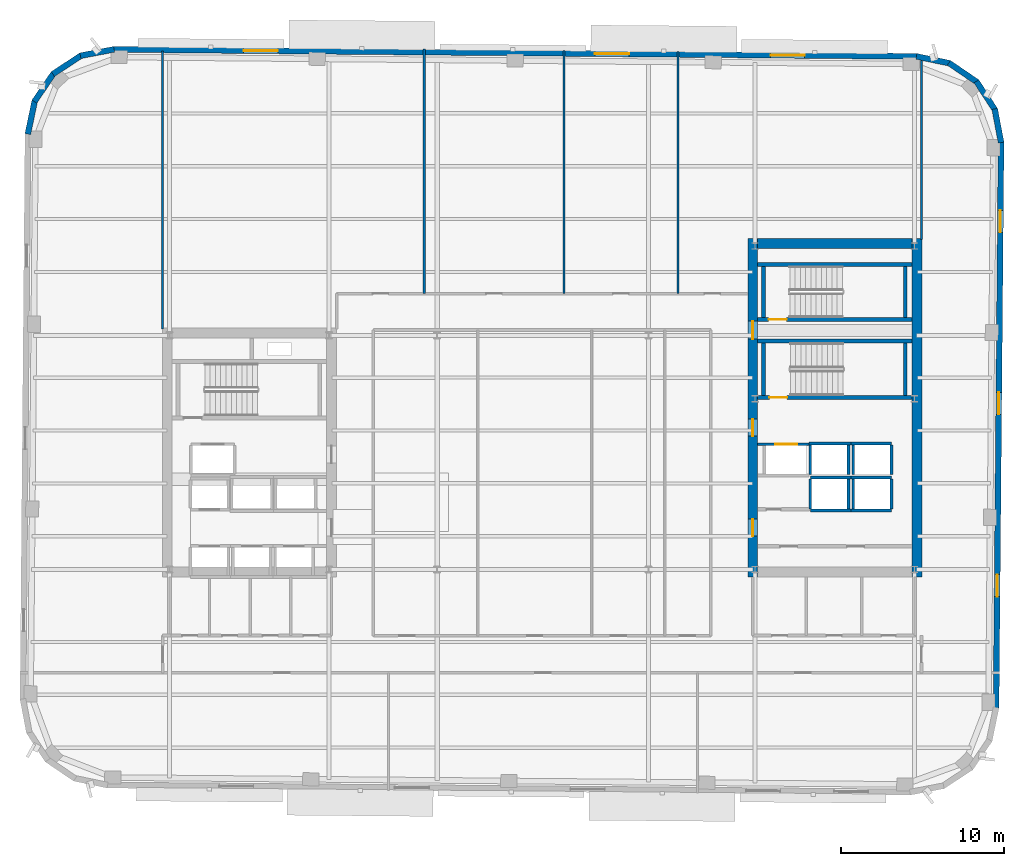
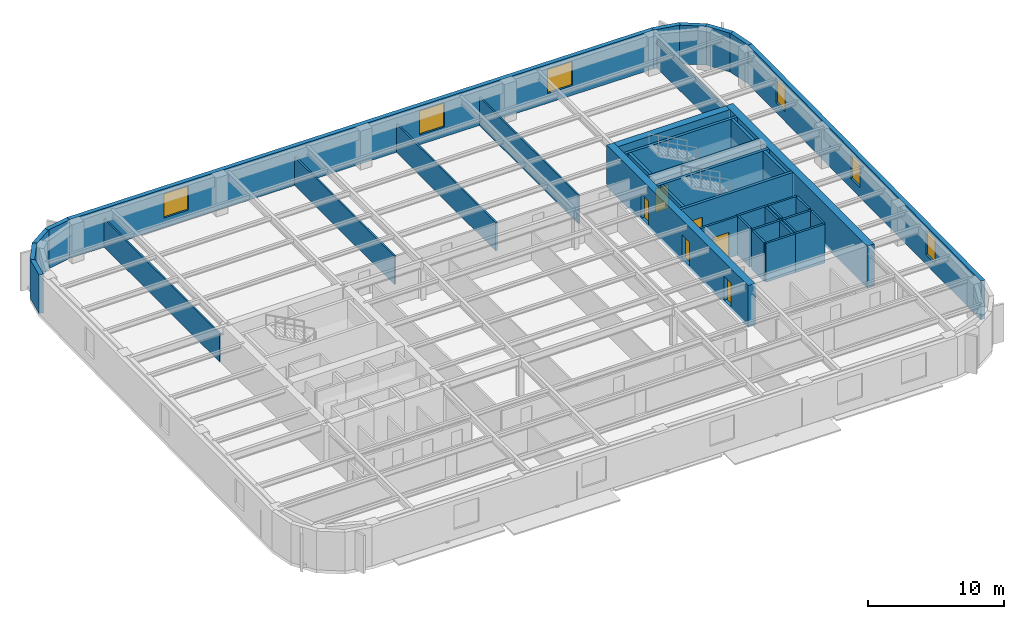
# One storey, part 6 of 12: 41 walls, 6 doors, 6 windows, 12 openings.
"""IFC4 building model written with IfcOpenShell, lengths in metres."""

import ifcopenshell
import ifcopenshell.guid

model = None  # the IFC model being written
_history = None  # IfcOwnerHistory: only IFC2X3 demands one
_inside = {}  # id of a spatial element -> (the spatial element, [elements in it])
_under = {}  # id of a project, library or spatial element -> (it, [spatial elements below it])
_declared = {}  # id of a project -> (the project, [libraries it declares])
_typed = {}  # id of a type object -> (the type object, [elements of that type])
_made_of = {}  # id of a material, layer set ... -> (it, [elements and type objects made of it])


def new_model(schema):
    """Start an empty IFC model of exactly this schema.

    Asked for "IFC4X3", IfcOpenShell would pick the latest addendum, in which some entities
    have other attributes; the version numbers below select the first issue.
    IFC2X3 requires an IfcOwnerHistory on every rooted entity: one is made here for all.
    """
    global model, _history
    if schema == "IFC4X3":
        model = ifcopenshell.file(schema_version=(4, 3, 0, 0))
    else:
        model = ifcopenshell.file(schema=schema)
    _inside.clear()
    _under.clear()
    _declared.clear()
    _typed.clear()
    _made_of.clear()
    _history = None
    if model.schema == "IFC2X3":
        org = make("IfcOrganization", Name="unknown")
        user = make(
            "IfcPersonAndOrganization",
            ThePerson=make("IfcPerson", FamilyName="unknown"),
            TheOrganization=org,
        )
        app = make(
            "IfcApplication",
            ApplicationDeveloper=org,
            Version="unknown",
            ApplicationFullName="unknown",
            ApplicationIdentifier="unknown",
        )
        _history = make(
            "IfcOwnerHistory",
            OwningUser=user,
            OwningApplication=app,
            ChangeAction="ADDED",
            CreationDate=0,
        )
    return model


def make(cls, **values):
    """One entity of the class cls with the attributes given. An attribute that is None is left unset."""
    return model.create_entity(
        cls, **{name: value for name, value in values.items() if value is not None}
    )


def rooted(cls, **values):
    """An entity with a GlobalId (a new one), such as an element, a storey or a relation."""
    return make(cls, GlobalId=ifcopenshell.guid.new(), OwnerHistory=_history, **values)


def si_unit(unit_type, name, prefix=None):
    """IfcSIUnit, for example si_unit("LENGTHUNIT", "METRE", prefix="MILLI")."""
    return make("IfcSIUnit", UnitType=unit_type, Prefix=prefix, Name=name)


def assignment(units):
    """IfcUnitAssignment: the units of a project."""
    return None if units is None else make("IfcUnitAssignment", Units=units)


def point(xyz):
    """IfcCartesianPoint."""
    return None if xyz is None else make("IfcCartesianPoint", Coordinates=xyz)


def direction(xyz):
    """IfcDirection."""
    return None if xyz is None else make("IfcDirection", DirectionRatios=xyz)


def frame(location, z_axis=None, x_axis=None):
    """IfcAxis2Placement3D, a coordinate frame: its origin and axes. An axis left out is left unset."""
    return make(
        "IfcAxis2Placement3D",
        Location=point(location),
        Axis=direction(z_axis),
        RefDirection=direction(x_axis),
    )


def frame_2d(location, x_axis=None):
    """IfcAxis2Placement2D, a coordinate frame in the plane: its origin and x axis."""
    return make(
        "IfcAxis2Placement2D", Location=point(location), RefDirection=direction(x_axis)
    )


def origin():
    """The frame at (0, 0, 0) with its axes left unset."""
    return frame((0.0, 0.0, 0.0))


def place(relative_to, where):
    """IfcLocalPlacement: puts the frame where relative to a parent placement (None: the world)."""
    return make(
        "IfcLocalPlacement", PlacementRelTo=relative_to, RelativePlacement=where
    )


def context(
    kind, dimensions, precision=None, world=None, true_north=None, identifier=None
):
    """IfcGeometricRepresentationContext, for example the 3D "Model" context."""
    return make(
        "IfcGeometricRepresentationContext",
        ContextIdentifier=identifier,
        ContextType=kind,
        CoordinateSpaceDimension=dimensions,
        Precision=precision,
        WorldCoordinateSystem=world,
        TrueNorth=true_north,
    )


def subcontext(parent, identifier, kind, view, scale=None):
    """IfcGeometricRepresentationSubContext, for example "Body" below "Model"."""
    return make(
        "IfcGeometricRepresentationSubContext",
        ContextIdentifier=identifier,
        ContextType=kind,
        ParentContext=parent,
        TargetScale=scale,
        TargetView=view,
    )


def project(units=None, contexts=None):
    """IfcProject with its units and contexts."""
    return rooted(
        "IfcProject",
        Name="project",
        RepresentationContexts=contexts,
        UnitsInContext=assignment(units),
    )


def spatial(cls, under=None, at=None, **own):
    """A site, building, storey or space (cls), placed at a placement, below another one or the project."""
    s = rooted(cls, ObjectPlacement=at, **own)
    if under is not None:
        _under.setdefault(under.id(), (under, []))[1].append(s)
    return s


def profile(cls, at=None, kind="AREA", **sizes):
    """A parametric profile (cls). Its sizes go by their IFC names, for example OverallWidth=200.0."""
    return make(cls, ProfileType=kind, Position=at, **sizes)


def rectangle(**sizes):
    """IfcRectangleProfileDef."""
    return profile("IfcRectangleProfileDef", **sizes)


def extrude(swept, where, along, depth):
    """IfcExtrudedAreaSolid: the profile swept, set in the frame where, extruded along a direction by depth."""
    return make(
        "IfcExtrudedAreaSolid",
        SweptArea=swept,
        Position=where,
        ExtrudedDirection=direction(along),
        Depth=depth,
    )


def shape(context_of_items, identifier, shape_type, items):
    """IfcShapeRepresentation: the items that make up one representation, for example the "Body"."""
    return make(
        "IfcShapeRepresentation",
        ContextOfItems=context_of_items,
        RepresentationIdentifier=identifier,
        RepresentationType=shape_type,
        Items=items,
    )


def material(Name=None, Category=None):
    """IfcMaterial."""
    return make("IfcMaterial", Name=Name, Category=Category)


def layer(
    of_material, thickness, ventilated=None, Name=None, Category=None, Priority=None
):
    """IfcMaterialLayer: one layer of a wall or slab, of a material (None: an air gap)."""
    return make(
        "IfcMaterialLayer",
        Material=of_material,
        LayerThickness=thickness,
        IsVentilated=ventilated,
        Name=Name,
        Category=Category,
        Priority=Priority,
    )


def layer_set(layers, Name=None):
    """IfcMaterialLayerSet."""
    return make("IfcMaterialLayerSet", MaterialLayers=layers, LayerSetName=Name)


def made_of(thing, what):
    """Note that an element or type object is made of a material, layer set ...; save() writes the relation."""
    if what is not None:
        _made_of.setdefault(what.id(), (what, []))[1].append(thing)
    return thing


def type_object(cls, material=None, **own):
    """A type object (cls), such as IfcWallType, which elements share."""
    return made_of(rooted(cls, **own), material)


def element(
    cls,
    number,
    at=None,
    inside=None,
    cuts=None,
    type_object=None,
    material=None,
    context=None,
    identifier="Body",
    shape_type=None,
    held_by="IfcProductDefinitionShape",
    body=None,
    shapes=None,
    **own,
):
    """One element of the class cls, such as IfcWall. Its Tag is "e" and its number.

    at: its placement. inside: the storey or other place that contains it. cuts: it is an
    opening in that element (IfcRelVoidsElement). A single representation is given by context,
    identifier, shape_type and body (its items); several are given by shapes. held_by: the class
    of the entity that holds the representations. save() writes the other relations.
    """
    e = rooted(cls, Tag="e%d" % number, ObjectPlacement=at, **own)
    if body is not None:
        shapes = [shape(context, identifier, shape_type, body)]
    if shapes is not None:
        e.Representation = make(held_by, Representations=shapes)
    if inside is not None:
        _inside.setdefault(inside.id(), (inside, []))[1].append(e)
    if cuts is not None:
        rooted(
            "IfcRelVoidsElement", RelatingBuildingElement=cuts, RelatedOpeningElement=e
        )
    if type_object is not None:
        _typed.setdefault(type_object.id(), (type_object, []))[1].append(e)
    return made_of(e, material)


def fill(opening, filler):
    """IfcRelFillsElement: the door or window that sits in an opening."""
    return rooted(
        "IfcRelFillsElement",
        RelatingOpeningElement=opening,
        RelatedBuildingElement=filler,
    )


def aggregate(whole, parts):
    """IfcRelAggregates: a whole, such as a stair, and the parts it consists of."""
    return rooted("IfcRelAggregates", RelatingObject=whole, RelatedObjects=parts)


def save(model, path):
    """Write the relations noted so far, then the file.

    IfcRelAggregates (storeys below a building ...), IfcRelContainedInSpatialStructure (elements
    in a storey), IfcRelDefinesByType, IfcRelAssociatesMaterial and IfcRelDeclares: one each for
    every whole, place, type object, material and project.
    """
    for whole, parts in _under.values():
        aggregate(whole, parts)
    for where, things in _inside.values():
        rooted(
            "IfcRelContainedInSpatialStructure",
            RelatedElements=things,
            RelatingStructure=where,
        )
    for kind, things in _typed.values():
        rooted("IfcRelDefinesByType", RelatedObjects=things, RelatingType=kind)
    for what, things in _made_of.values():
        rooted("IfcRelAssociatesMaterial", RelatedObjects=things, RelatingMaterial=what)
    for by, libraries in _declared.values():
        rooted("IfcRelDeclares", RelatingContext=by, RelatedDefinitions=libraries)
    model.write(path)


model = new_model("IFC4")

# Units and contexts
model_context = context("Model", 3, precision=1e-05, world=origin(), true_north=direction((0.0, 1.0)))
body_context = subcontext(model_context, "Body", "Model", "MODEL_VIEW")
ifc_project = project(units=[si_unit("LENGTHUNIT", "METRE"), si_unit("AREAUNIT", "SQUARE_METRE"), si_unit("VOLUMEUNIT", "CUBIC_METRE"), si_unit("PLANEANGLEUNIT", "RADIAN"), si_unit("MASSUNIT", "GRAM", prefix="KILO")], contexts=[model_context])

# Site, building, storey
site_placement = place(None, origin())
site = spatial("IfcSite", under=ifc_project, at=site_placement, CompositionType="ELEMENT")
building_placement = place(site_placement, origin())
building = spatial("IfcBuilding", under=site, at=building_placement, Name="Kolvaren Arena Tower", CompositionType="ELEMENT")
storey_placement = place(building_placement, frame((0.0, 0.0, 177.199951171875)))
storey = spatial("IfcBuildingStorey", under=building, at=storey_placement, Name="L42", CompositionType="ELEMENT", Elevation=177.199951171875)

# Wall, openings, doors
ifc_material_1 = material(Name="Concrete 60 MPa", Category="concrete")
ifc_layer_1 = layer(ifc_material_1, 0.60009765625)
ifc_layer_set_1 = layer_set([ifc_layer_1], Name="Concrete 60 MPa")
wall_type_1 = type_object("IfcWallType", Name="CWALL-600", PredefinedType="SHEAR", material=ifc_layer_set_1)
wall_1_placement = place(storey_placement, frame((50.39990234375, 19.0, -0.27001953125), z_axis=(0.0, 0.0, 1.0), x_axis=(0.0, 1.0, 0.0)))
wall_1 = element("IfcWall", 1, at=wall_1_placement, inside=storey, type_object=wall_type_1, Name="Core Shear Wall EC-WEST (L42)", PredefinedType="SHEAR", context=body_context, shape_type="SweptSolid", body=[
    extrude(rectangle(XDim=20.800048828125, YDim=0.60009765625, at=frame_2d((10.39990234375, 0.0))), origin(), (0.0, 0.0, 1.0), 3.75),
])
opening_1_placement = place(wall_1_placement, frame((2.5, 0.0, 0.27001953125)))
opening_1 = element("IfcOpeningElement", 2, at=opening_1_placement, cuts=wall_1, Name="Opening D04", PredefinedType="OPENING", context=body_context, shape_type="SweptSolid", body=[
    extrude(rectangle(XDim=1.050048828125, YDim=2.14990234375, at=frame_2d((0.52490234375, 1.074951171875))), frame((0.0, 0.31005859375, 0.0), z_axis=(0.0, -1.0, 0.0), x_axis=(1.0, 0.0, 0.0)), (0.0, 0.0, 1.0), 0.6201171875),
])
opening_2_placement = place(wall_1_placement, frame((8.64990234375, 0.0, 0.27001953125)))
opening_2 = element("IfcOpeningElement", 3, at=opening_2_placement, cuts=wall_1, Name="Opening D04", PredefinedType="OPENING", context=body_context, shape_type="SweptSolid", body=[
    extrude(rectangle(XDim=1.050048828125, YDim=2.14990234375, at=frame_2d((0.52490234375, 1.074951171875))), frame((0.0, 0.31005859375, 0.0), z_axis=(0.0, -1.0, 0.0), x_axis=(1.0, 0.0, 0.0)), (0.0, 0.0, 1.0), 0.6201171875),
])
opening_3_placement = place(wall_1_placement, frame((14.6201171875, 0.0, 0.27001953125)))
opening_3 = element("IfcOpeningElement", 4, at=opening_3_placement, cuts=wall_1, Name="Opening D03", PredefinedType="OPENING", context=body_context, shape_type="SweptSolid", body=[
    extrude(rectangle(XDim=1.10009765625, YDim=2.14990234375, at=frame_2d((0.550048828125, 1.074951171875))), frame((0.0, 0.31005859375, 0.0), z_axis=(0.0, -1.0, 0.0), x_axis=(1.0, 0.0, 0.0)), (0.0, 0.0, 1.0), 0.6201171875),
])
ifc_material_2 = material(Name="Fire-rated steel lobby door", Category="steel")
door_type_1 = type_object("IfcDoorType", Name="DOOR-FF-105", OperationType="NOTDEFINED", PredefinedType="DOOR", material=ifc_material_2)
door_1_placement = place(opening_1_placement, origin())
door_1 = element("IfcDoor", 5, at=door_1_placement, inside=storey, type_object=door_type_1, Name="East Lift Lobby Fire Door (L42)", OperationType="SINGLE_SWING_RIGHT", OverallHeight=2.14990234375, OverallWidth=1.050048828125, PredefinedType="DOOR", context=body_context, shape_type="SweptSolid", body=[
    extrude(rectangle(XDim=1.050048828125, YDim=2.14990234375, at=frame_2d((0.52490234375, 1.074951171875))), frame((0.0, 0.02490234375, 0.0), z_axis=(0.0, -1.0, 0.0), x_axis=(1.0, 0.0, 0.0)), (0.0, 0.0, 1.0), 0.050048828125),
])
fill(opening_1, door_1)
door_2_placement = place(opening_2_placement, origin())
door_2 = element("IfcDoor", 6, at=door_2_placement, inside=storey, type_object=door_type_1, Name="East Firefighter Vestibule Door (L42)", OperationType="SINGLE_SWING_LEFT", OverallHeight=2.14990234375, OverallWidth=1.050048828125, PredefinedType="DOOR", context=body_context, shape_type="SweptSolid", body=[
    extrude(rectangle(XDim=1.050048828125, YDim=2.14990234375, at=frame_2d((0.52490234375, 1.074951171875))), frame((0.0, 0.02490234375, 0.0), z_axis=(0.0, -1.0, 0.0), x_axis=(1.0, 0.0, 0.0)), (0.0, 0.0, 1.0), 0.050048828125),
])
fill(opening_2, door_2)
ifc_material_3 = material(Name="Fire-rated steel exit stair door", Category="steel")
door_type_2 = type_object("IfcDoorType", Name="DOOR-ST-110", OperationType="NOTDEFINED", PredefinedType="DOOR", material=ifc_material_3)
door_3_placement = place(opening_3_placement, origin())
door_3 = element("IfcDoor", 7, at=door_3_placement, inside=storey, type_object=door_type_2, Name="Stair ST-E2 Vestibule Fire Door (L42)", OperationType="SINGLE_SWING_LEFT", OverallHeight=2.14990234375, OverallWidth=1.10009765625, PredefinedType="DOOR", context=body_context, shape_type="SweptSolid", body=[
    extrude(rectangle(XDim=1.10009765625, YDim=2.14990234375, at=frame_2d((0.550048828125, 1.074951171875))), frame((0.0, 0.02490234375, 0.0), z_axis=(0.0, -1.0, 0.0), x_axis=(1.0, 0.0, 0.0)), (0.0, 0.0, 1.0), 0.050048828125),
])
fill(opening_3, door_3)

# Walls
wall_2_placement = place(storey_placement, frame((60.5, 19.0, -0.27001953125), z_axis=(0.0, 0.0, 1.0), x_axis=(0.0, 1.0, 0.0)))
element("IfcWall", 8, at=wall_2_placement, inside=storey, type_object=wall_type_1, Name="Core Shear Wall EC-EAST (L42)", PredefinedType="SHEAR", context=body_context, shape_type="SweptSolid", body=[
    extrude(rectangle(XDim=20.800048828125, YDim=0.60009765625, at=frame_2d((10.39990234375, 0.0))), origin(), (0.0, 0.0, 1.0), 3.75),
])
wall_3_placement = place(storey_placement, frame((50.699951171875, 39.5, -0.27001953125), z_axis=(0.0, 0.0, 1.0), x_axis=(1.0, 0.0, 0.0)))
element("IfcWall", 9, at=wall_3_placement, inside=storey, type_object=wall_type_1, Name="Core Shear Wall EC-NORTH (L42)", PredefinedType="SHEAR", context=body_context, shape_type="SweptSolid", body=[
    extrude(rectangle(XDim=9.5, YDim=0.60009765625, at=frame_2d((4.75, 0.0))), origin(), (0.0, 0.0, 1.0), 3.75),
])

# Wall, openings, windows
ifc_material_4 = material(Name="Precast concrete C50/60", Category="concrete")
ifc_layer_2 = layer(ifc_material_4, 0.360107421875)
ifc_layer_set_2 = layer_set([ifc_layer_2], Name="Precast concrete C50/60")
wall_type_2 = type_object("IfcWallType", Name="EXT-PIER2", PredefinedType="SOLIDWALL", material=ifc_layer_set_2)
wall_4_placement = place(storey_placement, frame((65.670654296875, 45.73828125, 0.0), z_axis=(0.0, 0.0, 1.0), x_axis=(-0.008727348535, -0.999961915969, 0.0)))
wall_4 = element("IfcWall", 10, at=wall_4_placement, inside=storey, type_object=wall_type_2, Name="Exterior Precast Masonry-Frame Wall (L42)", PredefinedType="SOLIDWALL", context=body_context, shape_type="SweptSolid", body=[
    extrude(rectangle(XDim=34.7998046875, YDim=0.360107421875, at=frame_2d((17.39990234375, 0.0))), origin(), (0.0, 0.0, 1.0), 3.47998046875),
])
opening_4_placement = place(wall_4_placement, frame((4.199951171875, 0.0, 0.8798828125)))
opening_4 = element("IfcOpeningElement", 11, at=opening_4_placement, cuts=wall_4, Name="Opening W04", PredefinedType="OPENING", context=body_context, shape_type="SweptSolid", body=[
    extrude(rectangle(XDim=1.35009765625, YDim=2.199951171875, at=frame_2d((0.675048828125, 1.10009765625))), frame((0.0, 0.18994140625, 0.0), z_axis=(0.0, -1.0, 0.0), x_axis=(1.0, 0.0, 0.0)), (0.0, 0.0, 1.0), 0.380126953125),
])
opening_5_placement = place(wall_4_placement, frame((15.39990234375, 0.0, 0.8798828125)))
opening_5 = element("IfcOpeningElement", 12, at=opening_5_placement, cuts=wall_4, Name="Opening W04", PredefinedType="OPENING", context=body_context, shape_type="SweptSolid", body=[
    extrude(rectangle(XDim=1.35009765625, YDim=2.199951171875, at=frame_2d((0.675048828125, 1.10009765625))), frame((0.0, 0.18994140625, 0.0), z_axis=(0.0, -1.0, 0.0), x_axis=(1.0, 0.0, 0.0)), (0.0, 0.0, 1.0), 0.380126953125),
])
opening_6_placement = place(wall_4_placement, frame((26.60009765625, 0.0, 0.8798828125)))
opening_6 = element("IfcOpeningElement", 13, at=opening_6_placement, cuts=wall_4, Name="Opening W04", PredefinedType="OPENING", context=body_context, shape_type="SweptSolid", body=[
    extrude(rectangle(XDim=1.35009765625, YDim=2.199951171875, at=frame_2d((0.675048828125, 1.10009765625))), frame((0.0, 0.18994140625, 0.0), z_axis=(0.0, -1.0, 0.0), x_axis=(1.0, 0.0, 0.0)), (0.0, 0.0, 1.0), 0.380126953125),
])
ifc_material_5 = material(Name="Triple-glazed curved-facet corner window", Category="glass")
window_type_1 = type_object("IfcWindowType", Name="WIN-CRN-A", PartitioningType="SINGLE_PANEL", PredefinedType="WINDOW", material=ifc_material_5)
window_1_placement = place(opening_4_placement, origin())
window_1 = element("IfcWindow", 14, at=window_1_placement, inside=storey, type_object=window_type_1, Name="End-Wall Punched Window (L42)", OverallHeight=2.199951171875, OverallWidth=1.35009765625, PartitioningType="SINGLE_PANEL", PredefinedType="WINDOW", context=body_context, shape_type="SweptSolid", body=[
    extrude(rectangle(XDim=1.35009765625, YDim=2.199951171875, at=frame_2d((0.675048828125, 1.10009765625))), frame((0.0, 0.030029296875, 0.0), z_axis=(0.0, -1.0, 0.0), x_axis=(1.0, 0.0, 0.0)), (0.0, 0.0, 1.0), 0.06005859375),
])
fill(opening_4, window_1)
window_2_placement = place(opening_5_placement, origin())
window_2 = element("IfcWindow", 15, at=window_2_placement, inside=storey, type_object=window_type_1, Name="End-Wall Punched Window (L42)", OverallHeight=2.199951171875, OverallWidth=1.35009765625, PartitioningType="SINGLE_PANEL", PredefinedType="WINDOW", context=body_context, shape_type="SweptSolid", body=[
    extrude(rectangle(XDim=1.35009765625, YDim=2.199951171875, at=frame_2d((0.675048828125, 1.10009765625))), frame((0.0, 0.030029296875, 0.0), z_axis=(0.0, -1.0, 0.0), x_axis=(1.0, 0.0, 0.0)), (0.0, 0.0, 1.0), 0.06005859375),
])
fill(opening_5, window_2)
window_3_placement = place(opening_6_placement, origin())
window_3 = element("IfcWindow", 16, at=window_3_placement, inside=storey, type_object=window_type_1, Name="End-Wall Punched Window (L42)", OverallHeight=2.199951171875, OverallWidth=1.35009765625, PartitioningType="SINGLE_PANEL", PredefinedType="WINDOW", context=body_context, shape_type="SweptSolid", body=[
    extrude(rectangle(XDim=1.35009765625, YDim=2.199951171875, at=frame_2d((0.675048828125, 1.10009765625))), frame((0.0, 0.030029296875, 0.0), z_axis=(0.0, -1.0, 0.0), x_axis=(1.0, 0.0, 0.0)), (0.0, 0.0, 1.0), 0.06005859375),
])
fill(opening_6, window_3)

# Walls
wall_5_placement = place(storey_placement, frame((65.281005859375, 47.773193359375, 0.0), z_axis=(0.0, 0.0, 1.0), x_axis=(0.186435855703, -0.98246713518, 0.0)))
element("IfcWall", 17, at=wall_5_placement, inside=storey, type_object=wall_type_2, Name="Exterior Precast Masonry-Frame Wall (L42)", PredefinedType="SOLIDWALL", context=body_context, shape_type="SweptSolid", body=[
    extrude(rectangle(XDim=2.10693359375, YDim=0.360107421875, at=frame_2d((1.053466796875, 0.0))), origin(), (0.0, 0.0, 1.0), 3.47998046875),
])
wall_6_placement = place(storey_placement, frame((64.152099609375, 49.469970703125, 0.0), z_axis=(0.0, 0.0, 1.0), x_axis=(0.548238722478, -0.83632188969, 0.0)))
element("IfcWall", 18, at=wall_6_placement, inside=storey, type_object=wall_type_2, Name="Exterior Precast Masonry-Frame Wall (L42)", PredefinedType="SOLIDWALL", context=body_context, shape_type="SweptSolid", body=[
    extrude(rectangle(XDim=2.106689453125, YDim=0.360107421875, at=frame_2d((1.05322265625, 0.0))), origin(), (0.0, 0.0, 1.0), 3.47998046875),
])
wall_7_placement = place(storey_placement, frame((62.45947265625, 50.605712890625, 0.0), z_axis=(0.0, 0.0, 1.0), x_axis=(0.826609569219, -0.56277581689, 0.0)))
element("IfcWall", 19, at=wall_7_placement, inside=storey, type_object=wall_type_2, Name="Exterior Precast Masonry-Frame Wall (L42)", PredefinedType="SOLIDWALL", context=body_context, shape_type="SweptSolid", body=[
    extrude(rectangle(XDim=2.10693359375, YDim=0.360107421875, at=frame_2d((1.053466796875, 0.0))), origin(), (0.0, 0.0, 1.0), 3.47998046875),
])
wall_8_placement = place(storey_placement, frame((60.461181640625, 51.00732421875, 0.0), z_axis=(0.0, 0.0, 1.0), x_axis=(0.979059388908, -0.203574833883, 0.0)))
element("IfcWall", 20, at=wall_8_placement, inside=storey, type_object=wall_type_2, Name="Exterior Precast Masonry-Frame Wall (L42)", PredefinedType="SOLIDWALL", context=body_context, shape_type="SweptSolid", body=[
    extrude(rectangle(XDim=2.107177734375, YDim=0.360107421875, at=frame_2d((1.0537109375, 0.0))), origin(), (0.0, 0.0, 1.0), 3.47998046875),
])

# Wall, openings, windows
wall_9_placement = place(storey_placement, frame((11.098388671875, 51.434814453125, 0.0), z_axis=(0.0, 0.0, 1.0), x_axis=(0.99996191194, -0.008727810138, 0.0)))
wall_9 = element("IfcWall", 21, at=wall_9_placement, inside=storey, type_object=wall_type_2, Name="Exterior Precast Masonry-Frame Wall (L42)", PredefinedType="SOLIDWALL", context=body_context, shape_type="SweptSolid", body=[
    extrude(rectangle(XDim=49.39990234375, YDim=0.360107421875, at=frame_2d((24.699951171875, 0.0))), origin(), (0.0, 0.0, 1.0), 3.47998046875),
])
opening_7_placement = place(wall_9_placement, frame((8.0, 0.0, 0.8798828125)))
opening_7 = element("IfcOpeningElement", 22, at=opening_7_placement, cuts=wall_9, Name="Opening W01", PredefinedType="OPENING", context=body_context, shape_type="SweptSolid", body=[
    extrude(rectangle(XDim=2.10009765625, YDim=2.14990234375, at=frame_2d((1.050048828125, 1.074951171875))), frame((0.0, 0.18994140625, 0.0), z_axis=(0.0, -1.0, 0.0), x_axis=(1.0, 0.0, 0.0)), (0.0, 0.0, 1.0), 0.380126953125),
])
opening_8_placement = place(wall_9_placement, frame((29.60009765625, 0.0, 0.8798828125)))
opening_8 = element("IfcOpeningElement", 23, at=opening_8_placement, cuts=wall_9, Name="Opening W01", PredefinedType="OPENING", context=body_context, shape_type="SweptSolid", body=[
    extrude(rectangle(XDim=2.10009765625, YDim=2.14990234375, at=frame_2d((1.050048828125, 1.074951171875))), frame((0.0, 0.18994140625, 0.0), z_axis=(0.0, -1.0, 0.0), x_axis=(1.0, 0.0, 0.0)), (0.0, 0.0, 1.0), 0.380126953125),
])
opening_9_placement = place(wall_9_placement, frame((40.39990234375, 0.0, 0.8798828125)))
opening_9 = element("IfcOpeningElement", 24, at=opening_9_placement, cuts=wall_9, Name="Opening W01", PredefinedType="OPENING", context=body_context, shape_type="SweptSolid", body=[
    extrude(rectangle(XDim=2.10009765625, YDim=2.14990234375, at=frame_2d((1.050048828125, 1.074951171875))), frame((0.0, 0.18994140625, 0.0), z_axis=(0.0, -1.0, 0.0), x_axis=(1.0, 0.0, 0.0)), (0.0, 0.0, 1.0), 0.380126953125),
])
ifc_material_6 = material(Name="Triple-glazed low-E aluminium window", Category="aluminium")
window_type_2 = type_object("IfcWindowType", Name="WIN-OFF-A", PartitioningType="DOUBLE_PANEL_VERTICAL", PredefinedType="WINDOW", material=ifc_material_6)
window_4_placement = place(opening_7_placement, origin())
window_4 = element("IfcWindow", 25, at=window_4_placement, inside=storey, type_object=window_type_2, Name="Punched Precast-Pier Window (L42)", OverallHeight=2.14990234375, OverallWidth=2.10009765625, PartitioningType="DOUBLE_PANEL_VERTICAL", PredefinedType="WINDOW", context=body_context, shape_type="SweptSolid", body=[
    extrude(rectangle(XDim=2.10009765625, YDim=2.14990234375, at=frame_2d((1.050048828125, 1.074951171875))), frame((0.0, 0.030029296875, 0.0), z_axis=(0.0, -1.0, 0.0), x_axis=(1.0, 0.0, 0.0)), (0.0, 0.0, 1.0), 0.06005859375),
])
fill(opening_7, window_4)
window_5_placement = place(opening_8_placement, origin())
window_5 = element("IfcWindow", 26, at=window_5_placement, inside=storey, type_object=window_type_2, Name="Punched Precast-Pier Window (L42)", OverallHeight=2.14990234375, OverallWidth=2.10009765625, PartitioningType="DOUBLE_PANEL_VERTICAL", PredefinedType="WINDOW", context=body_context, shape_type="SweptSolid", body=[
    extrude(rectangle(XDim=2.10009765625, YDim=2.14990234375, at=frame_2d((1.050048828125, 1.074951171875))), frame((0.0, 0.030029296875, 0.0), z_axis=(0.0, -1.0, 0.0), x_axis=(1.0, 0.0, 0.0)), (0.0, 0.0, 1.0), 0.06005859375),
])
fill(opening_8, window_5)
window_6_placement = place(opening_9_placement, origin())
window_6 = element("IfcWindow", 27, at=window_6_placement, inside=storey, type_object=window_type_2, Name="Punched Precast-Pier Window (L42)", OverallHeight=2.14990234375, OverallWidth=2.10009765625, PartitioningType="DOUBLE_PANEL_VERTICAL", PredefinedType="WINDOW", context=body_context, shape_type="SweptSolid", body=[
    extrude(rectangle(XDim=2.10009765625, YDim=2.14990234375, at=frame_2d((1.050048828125, 1.074951171875))), frame((0.0, 0.030029296875, 0.0), z_axis=(0.0, -1.0, 0.0), x_axis=(1.0, 0.0, 0.0)), (0.0, 0.0, 1.0), 0.06005859375),
])
fill(opening_9, window_6)

# Walls
wall_10_placement = place(storey_placement, frame((9.0634765625, 51.044921875, 0.0), z_axis=(0.0, 0.0, 1.0), x_axis=(0.982445905584, 0.186547695246, 0.0)))
element("IfcWall", 28, at=wall_10_placement, inside=storey, type_object=wall_type_2, Name="Exterior Precast Masonry-Frame Wall (L42)", PredefinedType="SOLIDWALL", context=body_context, shape_type="SweptSolid", body=[
    extrude(rectangle(XDim=2.107177734375, YDim=0.360107421875, at=frame_2d((1.0537109375, 0.0))), origin(), (0.0, 0.0, 1.0), 3.47998046875),
])
for number, where, z_axis, x_axis, name in (
    (29, (7.36669921875, 49.916015625, 0.0), (0.0, 0.0, 1.0), (0.836268756678, 0.548319766745, 0.0), "Exterior Precast Masonry-Frame Wall (L42)"),
    (30, (6.23095703125, 48.223388671875, 0.0), (0.0, 0.0, 1.0), (0.56277581689, 0.826609569219, 0.0), "Exterior Precast Masonry-Frame Wall (L42)"),
    (31, (5.8291015625, 46.225341796875, 0.0), (0.0, 0.0, 1.0), (0.203709000552, 0.979031482177, 0.0), "Exterior Precast Masonry-Frame Wall (L42)"),
):
    element("IfcWall", number, at=place(storey_placement, frame(where, z_axis=z_axis, x_axis=x_axis)), inside=storey, type_object=wall_type_2, Name=name, PredefinedType="SOLIDWALL", context=body_context, shape_type="SweptSolid", body=[
        extrude(rectangle(XDim=2.10693359375, YDim=0.360107421875, at=frame_2d((1.053466796875, 0.0))), origin(), (0.0, 0.0, 1.0), 3.47998046875),
    ])
ifc_material_7 = material(Name="Gypsum board partition assembly", Category="gypsum")
ifc_layer_3 = layer(ifc_material_7, 0.135009765625)
ifc_layer_set_3 = layer_set([ifc_layer_3], Name="Gypsum board partition assembly")
wall_type_3 = type_object("IfcWallType", Name="PART-135", PredefinedType="PARTITIONING", material=ifc_layer_set_3)
wall_11_placement = place(storey_placement, frame((30.199951171875, 36.419921875, 0.0), z_axis=(0.0, 0.0, 1.0), x_axis=(0.0, 1.0, 0.0)))
element("IfcWall", 32, at=wall_11_placement, inside=storey, type_object=wall_type_3, Name="Interior Partition Wall (L42)", PredefinedType="PARTITIONING", context=body_context, shape_type="SweptSolid", body=[
    extrude(rectangle(XDim=15.028076171875, YDim=0.135009765625, at=frame_2d((7.51416015625, 0.0))), origin(), (0.0, 0.0, 1.0), 2.5400390625),
])
wall_12_placement = place(storey_placement, frame((38.800048828125, 36.419921875, 0.0), z_axis=(0.0, 0.0, 1.0), x_axis=(0.0, 1.0, 0.0)))
element("IfcWall", 33, at=wall_12_placement, inside=storey, type_object=wall_type_3, Name="Interior Partition Wall (L42)", PredefinedType="PARTITIONING", context=body_context, shape_type="SweptSolid", body=[
    extrude(rectangle(XDim=14.953125, YDim=0.135009765625, at=frame_2d((7.4765625, 0.0))), origin(), (0.0, 0.0, 1.0), 2.5400390625),
])
wall_13_placement = place(storey_placement, frame((45.800048828125, 36.419921875, 0.0), z_axis=(0.0, 0.0, 1.0), x_axis=(0.0, 1.0, 0.0)))
element("IfcWall", 34, at=wall_13_placement, inside=storey, type_object=wall_type_3, Name="Interior Partition Wall (L42)", PredefinedType="PARTITIONING", context=body_context, shape_type="SweptSolid", body=[
    extrude(rectangle(XDim=14.89208984375, YDim=0.135009765625, at=frame_2d((7.446044921875, 0.0))), origin(), (0.0, 0.0, 1.0), 2.5400390625),
])
wall_14_placement = place(storey_placement, frame((14.1201171875, 34.25, 0.0), z_axis=(0.0, 0.0, 1.0), x_axis=(0.0, 1.0, 0.0)))
element("IfcWall", 35, at=wall_14_placement, inside=storey, type_object=wall_type_3, Name="Interior Partition Wall (L42)", PredefinedType="PARTITIONING", context=body_context, shape_type="SweptSolid", body=[
    extrude(rectangle(XDim=17.098388671875, YDim=0.135009765625, at=frame_2d((8.54931640625, 0.0))), origin(), (0.0, 0.0, 1.0), 2.5400390625),
])
wall_15_placement = place(storey_placement, frame((60.780029296875, 39.75, 0.0), z_axis=(0.0, 0.0, 1.0), x_axis=(0.0, 1.0, 0.0)))
element("IfcWall", 36, at=wall_15_placement, inside=storey, type_object=wall_type_3, Name="Interior Partition Wall (L42)", PredefinedType="PARTITIONING", context=body_context, shape_type="SweptSolid", body=[
    extrude(rectangle(XDim=11.1298828125, YDim=0.135009765625, at=frame_2d((5.56494140625, 0.0))), origin(), (0.0, 0.0, 1.0), 2.5400390625),
])

# Wall, opening, door
ifc_material_8 = material(Name="Concrete 45 MPa", Category="concrete")
ifc_layer_4 = layer(ifc_material_8, 0.25)
ifc_layer_set_4 = layer_set([ifc_layer_4], Name="Concrete 45 MPa")
wall_type_4 = type_object("IfcWallType", Name="SHAFT-250", PredefinedType="SOLIDWALL", material=ifc_layer_set_4)
wall_16_placement = place(storey_placement, frame((60.199951171875, 30.030029296875, 0.0), z_axis=(0.0, 0.0, 1.0), x_axis=(-1.0, 0.0, 0.0)))
wall_16 = element("IfcWall", 37, at=wall_16_placement, inside=storey, type_object=wall_type_4, Name="Core Shaft Wall (L42)", PredefinedType="SOLIDWALL", context=body_context, shape_type="SweptSolid", body=[
    extrude(rectangle(XDim=9.5, YDim=0.239990234375, at=frame_2d((4.75, 0.0))), origin(), (0.0, 0.0, 1.0), 3.47998046875),
])
opening_10_placement = place(wall_16_placement, frame((7.679931640625, 0.0, 0.0)))
opening_10 = element("IfcOpeningElement", 38, at=opening_10_placement, cuts=wall_16, Name="Opening D03", PredefinedType="OPENING", context=body_context, shape_type="SweptSolid", body=[
    extrude(rectangle(XDim=1.10009765625, YDim=2.14990234375, at=frame_2d((0.550048828125, 1.074951171875))), frame((0.0, 0.1298828125, 0.0), z_axis=(0.0, -1.0, 0.0), x_axis=(1.0, 0.0, 0.0)), (0.0, 0.0, 1.0), 0.260009765625),
])
door_4_placement = place(opening_10_placement, origin())
door_4 = element("IfcDoor", 39, at=door_4_placement, inside=storey, type_object=door_type_2, Name="Stair ST-E1 Fire Door (L42)", OperationType="SINGLE_SWING_LEFT", OverallHeight=2.14990234375, OverallWidth=1.10009765625, PredefinedType="DOOR", context=body_context, shape_type="SweptSolid", body=[
    extrude(rectangle(XDim=1.10009765625, YDim=2.14990234375, at=frame_2d((0.550048828125, 1.074951171875))), frame((0.0, 0.02490234375, 0.0), z_axis=(0.0, -1.0, 0.0), x_axis=(1.0, 0.0, 0.0)), (0.0, 0.0, 1.0), 0.050048828125),
])
fill(opening_10, door_4)

# Walls
wall_17_placement = place(storey_placement, frame((50.699951171875, 33.5, 0.0), z_axis=(0.0, 0.0, 1.0), x_axis=(1.0, 0.0, 0.0)))
element("IfcWall", 40, at=wall_17_placement, inside=storey, type_object=wall_type_4, Name="Core Shaft Wall (L42)", PredefinedType="SOLIDWALL", context=body_context, shape_type="SweptSolid", body=[
    extrude(rectangle(XDim=9.5, YDim=0.239990234375, at=frame_2d((4.75, 0.0))), origin(), (0.0, 0.0, 1.0), 3.47998046875),
])
for number, where, z_axis, x_axis, name in (
    (41, (51.06005859375, 30.14990234375, 0.0), (0.0, 0.0, 1.0), (0.0, 1.0, 0.0), "Core Shaft Wall (L42)"),
    (42, (59.780029296875, 30.14990234375, 0.0), (0.0, 0.0, 1.0), (0.0, 1.0, 0.0), "Core Shaft Wall (L42)"),
):
    element("IfcWall", number, at=place(storey_placement, frame(where, z_axis=z_axis, x_axis=x_axis)), inside=storey, type_object=wall_type_4, Name=name, PredefinedType="SOLIDWALL", context=body_context, shape_type="SweptSolid", body=[
        extrude(rectangle(XDim=3.22998046875, YDim=0.239990234375, at=frame_2d((1.614990234375, 0.0))), origin(), (0.0, 0.0, 1.0), 3.47998046875),
    ])

# Wall, opening, door
wall_18_placement = place(storey_placement, frame((60.199951171875, 34.830078125, 0.0), z_axis=(0.0, 0.0, 1.0), x_axis=(-1.0, 0.0, 0.0)))
wall_18 = element("IfcWall", 43, at=wall_18_placement, inside=storey, type_object=wall_type_4, Name="Core Shaft Wall (L42)", PredefinedType="SOLIDWALL", context=body_context, shape_type="SweptSolid", body=[
    extrude(rectangle(XDim=9.5, YDim=0.239990234375, at=frame_2d((4.75, 0.0))), origin(), (0.0, 0.0, 1.0), 3.47998046875),
])
opening_11_placement = place(wall_18_placement, frame((7.719970703125, 0.0, 0.0)))
opening_11 = element("IfcOpeningElement", 44, at=opening_11_placement, cuts=wall_18, Name="Opening D03", PredefinedType="OPENING", context=body_context, shape_type="SweptSolid", body=[
    extrude(rectangle(XDim=1.10009765625, YDim=2.14990234375, at=frame_2d((0.550048828125, 1.074951171875))), frame((0.0, 0.1298828125, 0.0), z_axis=(0.0, -1.0, 0.0), x_axis=(1.0, 0.0, 0.0)), (0.0, 0.0, 1.0), 0.260009765625),
])
door_5_placement = place(opening_11_placement, origin())
door_5 = element("IfcDoor", 45, at=door_5_placement, inside=storey, type_object=door_type_2, Name="Stair ST-E2 Fire Door (L42)", OperationType="SINGLE_SWING_LEFT", OverallHeight=2.14990234375, OverallWidth=1.10009765625, PredefinedType="DOOR", context=body_context, shape_type="SweptSolid", body=[
    extrude(rectangle(XDim=1.10009765625, YDim=2.14990234375, at=frame_2d((0.550048828125, 1.074951171875))), frame((0.0, 0.02490234375, 0.0), z_axis=(0.0, -1.0, 0.0), x_axis=(1.0, 0.0, 0.0)), (0.0, 0.0, 1.0), 0.050048828125),
])
fill(opening_11, door_5)

# Walls
wall_19_placement = place(storey_placement, frame((50.699951171875, 38.219970703125, 0.0), z_axis=(0.0, 0.0, 1.0), x_axis=(1.0, 0.0, 0.0)))
element("IfcWall", 46, at=wall_19_placement, inside=storey, type_object=wall_type_4, Name="Core Shaft Wall (L42)", PredefinedType="SOLIDWALL", context=body_context, shape_type="SweptSolid", body=[
    extrude(rectangle(XDim=9.5, YDim=0.239990234375, at=frame_2d((4.75, 0.0))), origin(), (0.0, 0.0, 1.0), 3.47998046875),
])
for number, where, z_axis, x_axis, name in (
    (47, (51.06005859375, 34.949951171875, 0.0), (0.0, 0.0, 1.0), (0.0, 1.0, 0.0), "Core Shaft Wall (L42)"),
    (48, (59.780029296875, 34.949951171875, 0.0), (0.0, 0.0, 1.0), (0.0, 1.0, 0.0), "Core Shaft Wall (L42)"),
):
    element("IfcWall", number, at=place(storey_placement, frame(where, z_axis=z_axis, x_axis=x_axis)), inside=storey, type_object=wall_type_4, Name=name, PredefinedType="SOLIDWALL", context=body_context, shape_type="SweptSolid", body=[
        extrude(rectangle(XDim=3.150146484375, YDim=0.239990234375, at=frame_2d((1.5751953125, 0.0))), origin(), (0.0, 0.0, 1.0), 3.47998046875),
    ])
for number, where, z_axis, x_axis, name in (
    (49, (53.93994140625, 25.10498046875, 0.0), (0.0, 0.0, 1.0), (1.0, 0.0, 0.0), "Core Shaft Wall (L42)"),
    (50, (53.93994140625, 23.094970703125, 0.0), (0.0, 0.0, 1.0), (1.0, 0.0, 0.0), "Core Shaft Wall (L42)"),
):
    element("IfcWall", number, at=place(storey_placement, frame(where, z_axis=z_axis, x_axis=x_axis)), inside=storey, type_object=wall_type_4, Name=name, PredefinedType="SOLIDWALL", context=body_context, shape_type="SweptSolid", body=[
        extrude(rectangle(XDim=2.5, YDim=0.179931640625, at=frame_2d((1.25, 0.0))), origin(), (0.0, 0.0, 1.0), 3.47998046875),
    ])
for number, where, z_axis, x_axis, name in (
    (51, (53.93994140625, 23.18505859375, 0.0), (0.0, 0.0, 1.0), (0.0, 1.0, 0.0), "Core Shaft Wall (L42)"),
    (52, (56.300048828125, 23.18505859375, 0.0), (0.0, 0.0, 1.0), (0.0, 1.0, 0.0), "Core Shaft Wall (L42)"),
):
    element("IfcWall", number, at=place(storey_placement, frame(where, z_axis=z_axis, x_axis=x_axis)), inside=storey, type_object=wall_type_4, Name=name, PredefinedType="SOLIDWALL", context=body_context, shape_type="SweptSolid", body=[
        extrude(rectangle(XDim=1.829833984375, YDim=0.179931640625, at=frame_2d((0.9150390625, 0.0))), origin(), (0.0, 0.0, 1.0), 3.47998046875),
    ])
for number, where, z_axis, x_axis, name in (
    (53, (56.43994140625, 25.10498046875, 0.0), (0.0, 0.0, 1.0), (1.0, 0.0, 0.0), "Core Shaft Wall (L42)"),
    (54, (56.43994140625, 23.094970703125, 0.0), (0.0, 0.0, 1.0), (1.0, 0.0, 0.0), "Core Shaft Wall (L42)"),
):
    element("IfcWall", number, at=place(storey_placement, frame(where, z_axis=z_axis, x_axis=x_axis)), inside=storey, type_object=wall_type_4, Name=name, PredefinedType="SOLIDWALL", context=body_context, shape_type="SweptSolid", body=[
        extrude(rectangle(XDim=2.5, YDim=0.179931640625, at=frame_2d((1.25, 0.0))), origin(), (0.0, 0.0, 1.0), 3.47998046875),
    ])
for number, where, z_axis, x_axis, name in (
    (55, (56.580078125, 23.18505859375, 0.0), (0.0, 0.0, 1.0), (0.0, 1.0, 0.0), "Core Shaft Wall (L42)"),
    (56, (58.93994140625, 23.18505859375, 0.0), (0.0, 0.0, 1.0), (0.0, 1.0, 0.0), "Core Shaft Wall (L42)"),
):
    element("IfcWall", number, at=place(storey_placement, frame(where, z_axis=z_axis, x_axis=x_axis)), inside=storey, type_object=wall_type_4, Name=name, PredefinedType="SOLIDWALL", context=body_context, shape_type="SweptSolid", body=[
        extrude(rectangle(XDim=1.829833984375, YDim=0.179931640625, at=frame_2d((0.9150390625, 0.0))), origin(), (0.0, 0.0, 1.0), 3.47998046875),
    ])
wall_20_placement = place(storey_placement, frame((53.864990234375, 27.205078125, 0.0), z_axis=(0.0, 0.0, 1.0), x_axis=(1.0, 0.0, 0.0)))
element("IfcWall", 57, at=wall_20_placement, inside=storey, type_object=wall_type_4, Name="Core Shaft Wall (L42)", PredefinedType="SOLIDWALL", context=body_context, shape_type="SweptSolid", body=[
    extrude(rectangle(XDim=2.574951171875, YDim=0.179931640625, at=frame_2d((1.28759765625, 0.0))), origin(), (0.0, 0.0, 1.0), 3.47998046875),
])
for number, where, z_axis, x_axis, name in (
    (58, (53.93994140625, 25.284912109375, 0.0), (0.0, 0.0, 1.0), (0.0, 1.0, 0.0), "Core Shaft Wall (L42)"),
    (59, (56.300048828125, 25.284912109375, 0.0), (0.0, 0.0, 1.0), (0.0, 1.0, 0.0), "Core Shaft Wall (L42)"),
):
    element("IfcWall", number, at=place(storey_placement, frame(where, z_axis=z_axis, x_axis=x_axis)), inside=storey, type_object=wall_type_4, Name=name, PredefinedType="SOLIDWALL", context=body_context, shape_type="SweptSolid", body=[
        extrude(rectangle(XDim=1.830078125, YDim=0.179931640625, at=frame_2d((0.9150390625, 0.0))), origin(), (0.0, 0.0, 1.0), 3.47998046875),
    ])
wall_21_placement = place(storey_placement, frame((56.43994140625, 27.205078125, 0.0), z_axis=(0.0, 0.0, 1.0), x_axis=(1.0, 0.0, 0.0)))
element("IfcWall", 60, at=wall_21_placement, inside=storey, type_object=wall_type_4, Name="Core Shaft Wall (L42)", PredefinedType="SOLIDWALL", context=body_context, shape_type="SweptSolid", body=[
    extrude(rectangle(XDim=2.5, YDim=0.179931640625, at=frame_2d((1.25, 0.0))), origin(), (0.0, 0.0, 1.0), 3.47998046875),
])
for number, where, z_axis, x_axis, name in (
    (61, (56.580078125, 25.284912109375, 0.0), (0.0, 0.0, 1.0), (0.0, 1.0, 0.0), "Core Shaft Wall (L42)"),
    (62, (58.93994140625, 25.284912109375, 0.0), (0.0, 0.0, 1.0), (0.0, 1.0, 0.0), "Core Shaft Wall (L42)"),
):
    element("IfcWall", number, at=place(storey_placement, frame(where, z_axis=z_axis, x_axis=x_axis)), inside=storey, type_object=wall_type_4, Name=name, PredefinedType="SOLIDWALL", context=body_context, shape_type="SweptSolid", body=[
        extrude(rectangle(XDim=1.830078125, YDim=0.179931640625, at=frame_2d((0.9150390625, 0.0))), origin(), (0.0, 0.0, 1.0), 3.47998046875),
    ])

# Wall, opening, door
wall_22_placement = place(storey_placement, frame((50.699951171875, 27.155029296875, 0.0), z_axis=(0.0, 0.0, 1.0), x_axis=(1.0, 0.0, 0.0)))
wall_22 = element("IfcWall", 63, at=wall_22_placement, inside=storey, type_object=wall_type_4, Name="Core Shaft Wall (L42)", PredefinedType="SOLIDWALL", context=body_context, shape_type="SweptSolid", body=[
    extrude(rectangle(XDim=3.1650390625, YDim=0.179931640625, at=frame_2d((1.58251953125, 0.0))), origin(), (0.0, 0.0, 1.0), 3.47998046875),
])
opening_12_placement = place(wall_22_placement, frame((1.0849609375, 0.0, 0.0)))
opening_12 = element("IfcOpeningElement", 64, at=opening_12_placement, cuts=wall_22, Name="Opening LD2", PredefinedType="OPENING", context=body_context, shape_type="SweptSolid", body=[
    extrude(rectangle(XDim=1.35009765625, YDim=2.300048828125, at=frame_2d((0.675048828125, 1.14990234375))), frame((0.0, 0.099853515625, 0.0), z_axis=(0.0, -1.0, 0.0), x_axis=(1.0, 0.0, 0.0)), (0.0, 0.0, 1.0), 0.199951171875),
])
ifc_material_9 = material(Name="Stainless steel firefighter lift landing door", Category="steel")
door_type_3 = type_object("IfcDoorType", Name="DOOR-LD-135", OperationType="DOUBLE_DOOR_SLIDING", PredefinedType="DOOR", material=ifc_material_9)
door_6_placement = place(opening_12_placement, origin())
door_6 = element("IfcDoor", 65, at=door_6_placement, inside=storey, type_object=door_type_3, Name="Firefighter Lift FF-E1 Landing Door (L42)", OperationType="DOUBLE_DOOR_SLIDING", OverallHeight=2.300048828125, OverallWidth=1.35009765625, PredefinedType="DOOR", context=body_context, shape_type="SweptSolid", body=[
    extrude(rectangle(XDim=1.35009765625, YDim=2.300048828125, at=frame_2d((0.675048828125, 1.14990234375))), frame((0.0, 0.02490234375, 0.0), z_axis=(0.0, -1.0, 0.0), x_axis=(1.0, 0.0, 0.0)), (0.0, 0.0, 1.0), 0.050048828125),
])
fill(opening_12, door_6)

save(model, "model.ifc")
